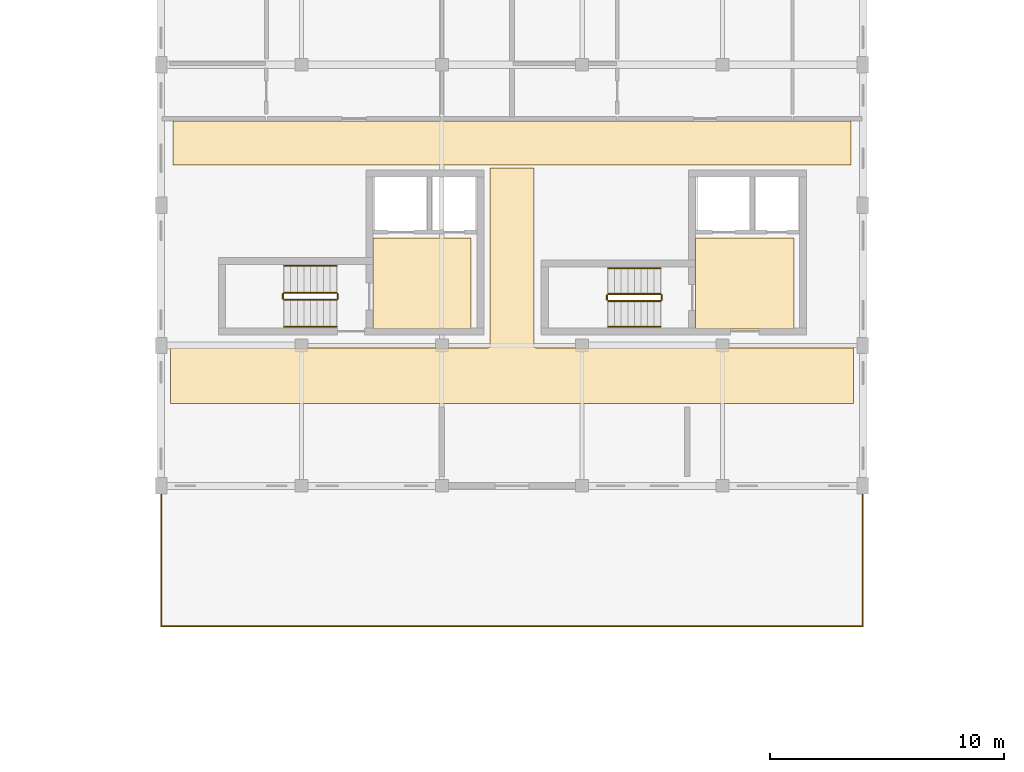
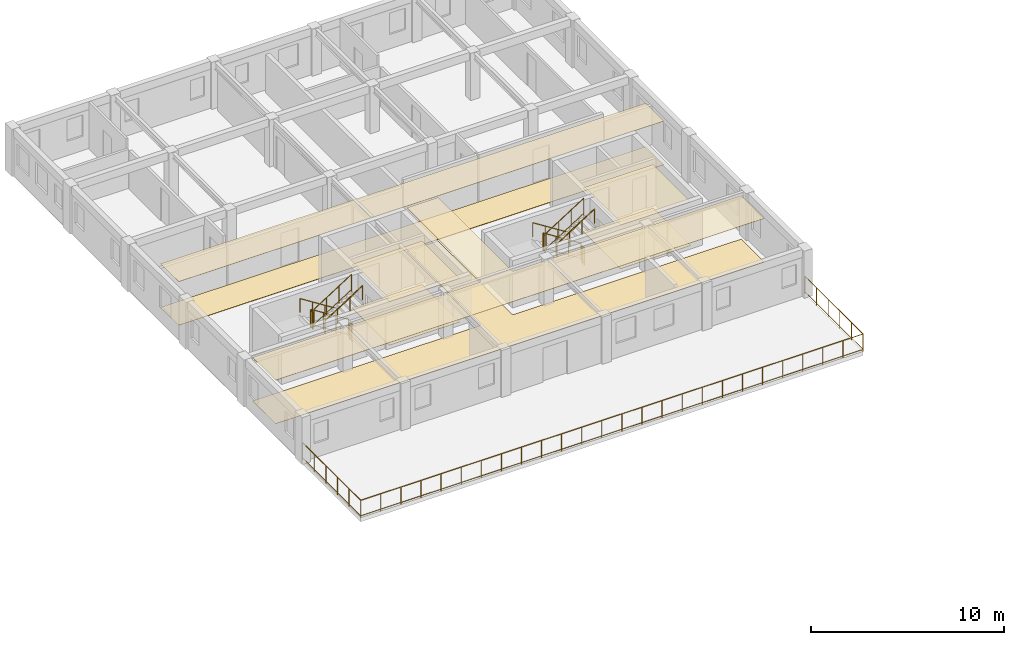
# One storey, part 27 of 28: 15 railings, 8 coverings.
"""IFC4 building model written with IfcOpenShell, lengths in metres."""

from ifc_helpers import new_model, si_unit, direction, frame, origin, origin_2d, place, context, subcontext, project, spatial, polyline, circle, outline, extrude, material, layer, layer_set, type_object, element, save


model = new_model("IFC4")

# Units and contexts
model_context = context("Model", 3, precision=1e-05, world=origin(), true_north=direction((0.0, 1.0)))
body_context = subcontext(model_context, "Body", "Model", "MODEL_VIEW")
ifc_project = project(units=[si_unit("LENGTHUNIT", "METRE"), si_unit("AREAUNIT", "SQUARE_METRE"), si_unit("VOLUMEUNIT", "CUBIC_METRE"), si_unit("PLANEANGLEUNIT", "RADIAN"), si_unit("MASSUNIT", "GRAM", prefix="KILO"), si_unit("POWERUNIT", "WATT"), si_unit("THERMODYNAMICTEMPERATUREUNIT", "KELVIN")], contexts=[model_context])

# Site, building, storey
site_placement = place(None, origin())
site = spatial("IfcSite", under=ifc_project, at=site_placement, CompositionType="ELEMENT")
building_placement = place(site_placement, origin())
building = spatial("IfcBuilding", under=site, at=building_placement, Name="Ruvembo Vaulted Housing Court", CompositionType="ELEMENT")
storey_placement = place(building_placement, frame((0.0, 0.0, 23.699951171875)))
storey = spatial("IfcBuildingStorey", under=building, at=storey_placement, Name="L07", CompositionType="ELEMENT", Elevation=23.699951171875)

# Coverings
ifc_material_1 = material(Name="Perforated Mineral-Fibre Acoustic Tile", Category="gypsum")
ifc_layer_1 = layer(ifc_material_1, 0.02001953125, Name="Perforated Mineral-Fibre Acoustic Tile")
ifc_layer_set_1 = layer_set([ifc_layer_1], Name="Perforated Mineral-Fibre Acoustic Tile")
covering_type_1 = type_object("IfcCoveringType", Name="COV-CEIL-ACOUST", PredefinedType="CEILING", material=ifc_layer_set_1)
covering_1_placement = place(storey_placement, frame((0.0, 0.0, 2.75)))
element("IfcCovering", 1, at=covering_1_placement, inside=storey, type_object=covering_type_1, Name="Protected Core Lobby B1 Ceiling", PredefinedType="CEILING", context=body_context, shape_type="SweptSolid", body=[
    extrude(outline(polyline([(61.25, 94.60009765625), (57.050048828125, 94.60009765625), (57.050048828125, 90.699951171875), (61.25, 90.699951171875), (61.25, 94.60009765625)])), origin(), (0.0, 0.0, 1.0), 0.02001953125),
])
covering_2_placement = place(storey_placement, frame((0.0, 0.0, 2.75)))
element("IfcCovering", 2, at=covering_2_placement, inside=storey, type_object=covering_type_1, Name="Protected Core Lobby B2 Ceiling", PredefinedType="CEILING", context=body_context, shape_type="SweptSolid", body=[
    extrude(outline(polyline([(75.050048828125, 94.60009765625), (70.85009765625, 94.60009765625), (70.85009765625, 90.699951171875), (75.050048828125, 90.699951171875), (75.050048828125, 94.60009765625)])), origin(), (0.0, 0.0, 1.0), 0.02001953125),
])
covering_3_placement = place(storey_placement, frame((0.0, 0.0, 2.75)))
element("IfcCovering", 3, at=covering_3_placement, inside=storey, type_object=covering_type_1, Name="Block B L07 Corridor Ceiling", PredefinedType="CEILING", context=body_context, shape_type="SweptSolid", body=[
    extrude(outline(polyline([(77.590087890625, 87.510009765625), (77.590087890625, 89.889892578125), (64.050048828125, 89.889892578125), (64.039306640625, 89.890380859375), (64.028564453125, 89.89208984375), (64.01806640625, 89.894775390625), (64.0078125, 89.8984375), (63.998046875, 89.903076171875), (63.989013671875, 89.908447265625), (63.980224609375, 89.9150390625), (63.97216796875, 89.922119140625), (63.965087890625, 89.93017578125), (63.95849609375, 89.93896484375), (63.952880859375, 89.947998046875), (63.948486328125, 89.9580078125), (63.944580078125, 89.968017578125), (63.942138671875, 89.978515625), (63.9404296875, 89.9892578125), (63.93994140625, 90.0), (63.93994140625, 97.590087890625), (62.06005859375, 97.590087890625), (62.06005859375, 90.0), (62.0595703125, 89.9892578125), (62.057861328125, 89.978515625), (62.055419921875, 89.968017578125), (62.051513671875, 89.9580078125), (62.047119140625, 89.947998046875), (62.04150390625, 89.93896484375), (62.034912109375, 89.93017578125), (62.02783203125, 89.922119140625), (62.019775390625, 89.9150390625), (62.010986328125, 89.908447265625), (62.001953125, 89.903076171875), (61.9921875, 89.8984375), (61.98193359375, 89.894775390625), (61.971435546875, 89.89208984375), (61.960693359375, 89.890380859375), (61.949951171875, 89.889892578125), (48.409912109375, 89.889892578125), (48.409912109375, 87.510009765625), (77.590087890625, 87.510009765625)])), origin(), (0.0, 0.0, 1.0), 0.02001953125),
])
covering_4_placement = place(storey_placement, frame((0.0, 0.0, 2.75)))
element("IfcCovering", 4, at=covering_4_placement, inside=storey, type_object=covering_type_1, Name="Block B L07 North Sub-Corridor Ceiling", PredefinedType="CEILING", context=body_context, shape_type="SweptSolid", body=[
    extrude(outline(polyline([(48.510009765625, 97.7099609375), (77.489990234375, 97.7099609375), (77.489990234375, 99.590087890625), (48.510009765625, 99.590087890625), (48.510009765625, 97.7099609375)])), origin(), (0.0, 0.0, 1.0), 0.02001953125),
])
ifc_material_2 = material(Name="Polished Cement-Aggregate Terrazzo", Category="stone")
ifc_layer_2 = layer(ifc_material_2, 0.02197265625, Name="Polished Cement-Aggregate Terrazzo")
ifc_layer_set_2 = layer_set([ifc_layer_2], Name="Polished Cement-Aggregate Terrazzo")
covering_type_2 = type_object("IfcCoveringType", Name="COV-FLR-CERAMIC", PredefinedType="FLOORING", material=ifc_layer_set_2)
covering_5_placement = place(storey_placement, origin())
element("IfcCovering", 5, at=covering_5_placement, inside=storey, type_object=covering_type_2, Name="Protected Core Lobby B1 Flooring", PredefinedType="FLOORING", context=body_context, shape_type="SweptSolid", body=[
    extrude(outline(polyline([(61.25, 94.60009765625), (57.050048828125, 94.60009765625), (57.050048828125, 90.699951171875), (61.25, 90.699951171875), (61.25, 94.60009765625)])), origin(), (0.0, 0.0, 1.0), 0.02197265625),
])
covering_6_placement = place(storey_placement, origin())
element("IfcCovering", 6, at=covering_6_placement, inside=storey, type_object=covering_type_2, Name="Protected Core Lobby B2 Flooring", PredefinedType="FLOORING", context=body_context, shape_type="SweptSolid", body=[
    extrude(outline(polyline([(75.050048828125, 94.60009765625), (70.85009765625, 94.60009765625), (70.85009765625, 90.699951171875), (75.050048828125, 90.699951171875), (75.050048828125, 94.60009765625)])), origin(), (0.0, 0.0, 1.0), 0.02197265625),
])
covering_7_placement = place(storey_placement, origin())
element("IfcCovering", 7, at=covering_7_placement, inside=storey, type_object=covering_type_2, Name="Block B L07 Corridor Flooring", PredefinedType="FLOORING", context=body_context, shape_type="SweptSolid", body=[
    extrude(outline(polyline([(77.590087890625, 87.510009765625), (77.590087890625, 89.889892578125), (64.050048828125, 89.889892578125), (64.039306640625, 89.890380859375), (64.028564453125, 89.89208984375), (64.01806640625, 89.894775390625), (64.0078125, 89.8984375), (63.998046875, 89.903076171875), (63.989013671875, 89.908447265625), (63.980224609375, 89.9150390625), (63.97216796875, 89.922119140625), (63.965087890625, 89.93017578125), (63.95849609375, 89.93896484375), (63.952880859375, 89.947998046875), (63.948486328125, 89.9580078125), (63.944580078125, 89.968017578125), (63.942138671875, 89.978515625), (63.9404296875, 89.9892578125), (63.93994140625, 90.0), (63.93994140625, 97.590087890625), (62.06005859375, 97.590087890625), (62.06005859375, 90.0), (62.0595703125, 89.9892578125), (62.057861328125, 89.978515625), (62.055419921875, 89.968017578125), (62.051513671875, 89.9580078125), (62.047119140625, 89.947998046875), (62.04150390625, 89.93896484375), (62.034912109375, 89.93017578125), (62.02783203125, 89.922119140625), (62.019775390625, 89.9150390625), (62.010986328125, 89.908447265625), (62.001953125, 89.903076171875), (61.9921875, 89.8984375), (61.98193359375, 89.894775390625), (61.971435546875, 89.89208984375), (61.960693359375, 89.890380859375), (61.949951171875, 89.889892578125), (48.409912109375, 89.889892578125), (48.409912109375, 87.510009765625), (77.590087890625, 87.510009765625)])), origin(), (0.0, 0.0, 1.0), 0.02197265625),
])
covering_8_placement = place(storey_placement, origin())
element("IfcCovering", 8, at=covering_8_placement, inside=storey, type_object=covering_type_2, Name="Block B L07 North Sub-Corridor Flooring", PredefinedType="FLOORING", context=body_context, shape_type="SweptSolid", body=[
    extrude(outline(polyline([(48.510009765625, 97.7099609375), (77.489990234375, 97.7099609375), (77.489990234375, 99.590087890625), (48.510009765625, 99.590087890625), (48.510009765625, 97.7099609375)])), origin(), (0.0, 0.0, 1.0), 0.02197265625),
])

# Railings
ifc_material_3 = material(Name="Galvanised Painted Steel and Laminated Glass", Category="steel")
ifc_layer_3 = layer(ifc_material_3, 0.070068359375, Name="Galvanised Painted Steel and Laminated Glass")
ifc_layer_set_3 = layer_set([ifc_layer_3], Name="Galvanised Painted Steel and Laminated Glass")
railing_type_1 = type_object("IfcRailingType", Name="RL-BALUST-1120", PredefinedType="BALUSTRADE", material=ifc_layer_set_3)
railing_1_placement = place(storey_placement, frame((48.0, 84.0, 0.0)))
element("IfcRailing", 9, at=railing_1_placement, inside=storey, type_object=railing_type_1, Name="L07 Perimeter Guard RL-EXT-L07-0007", PredefinedType="BALUSTRADE", context=body_context, shape_type="SweptSolid", body=[
    extrude(circle(Radius=0.02392578125, at=origin_2d()), frame((0.0, 0.0, 1.09619140625), z_axis=(0.0, -1.0, 0.0), x_axis=(1.0, 0.0, 0.0)), (0.0, 0.0, 1.0), 6.0),
    extrude(circle(Radius=0.01806640625, at=origin_2d()), frame((0.0, 0.0, 0.1201171875), z_axis=(0.0, -1.0, 0.0), x_axis=(1.0, 0.0, 0.0)), (0.0, 0.0, 1.0), 6.0),
    extrude(circle(Radius=0.02099609375, at=origin_2d()), origin(), (0.0, 0.0, 1.0), 1.072021484375),
    extrude(circle(Radius=0.02099609375, at=origin_2d()), frame((0.0, -1.199951171875, 0.0)), (0.0, 0.0, 1.0), 1.072021484375),
    extrude(circle(Radius=0.02099609375, at=origin_2d()), frame((0.0, -2.39990234375, 0.0)), (0.0, 0.0, 1.0), 1.072021484375),
    extrude(circle(Radius=0.02099609375, at=origin_2d()), frame((0.0, -3.60009765625, 0.0)), (0.0, 0.0, 1.0), 1.072021484375),
    extrude(circle(Radius=0.02099609375, at=origin_2d()), frame((0.0, -4.800048828125, 0.0)), (0.0, 0.0, 1.0), 1.072021484375),
    extrude(circle(Radius=0.02099609375, at=origin_2d()), frame((0.0, -6.0, 0.0)), (0.0, 0.0, 1.0), 1.072021484375),
])
railing_2_placement = place(storey_placement, frame((48.0, 78.0, 0.0)))
element("IfcRailing", 10, at=railing_2_placement, inside=storey, type_object=railing_type_1, Name="L07 Perimeter Guard RL-EXT-L07-0008", PredefinedType="BALUSTRADE", context=body_context, shape_type="SweptSolid", body=[
    extrude(circle(Radius=0.02392578125, at=origin_2d()), frame((0.0, 0.0, 1.09619140625), z_axis=(1.0, 0.0, 0.0), x_axis=(0.0, 1.0, 0.0)), (0.0, 0.0, 1.0), 30.0),
    extrude(circle(Radius=0.01806640625, at=origin_2d()), frame((0.0, 0.0, 0.1201171875), z_axis=(1.0, 0.0, 0.0), x_axis=(0.0, 1.0, 0.0)), (0.0, 0.0, 1.0), 30.0),
    extrude(circle(Radius=0.02099609375, at=origin_2d()), origin(), (0.0, 0.0, 1.0), 1.072021484375),
    extrude(circle(Radius=0.02099609375, at=origin_2d()), frame((1.199951171875, 0.0, 0.0)), (0.0, 0.0, 1.0), 1.072021484375),
    extrude(circle(Radius=0.02099609375, at=origin_2d()), frame((2.39990234375, 0.0, 0.0)), (0.0, 0.0, 1.0), 1.072021484375),
    extrude(circle(Radius=0.02099609375, at=origin_2d()), frame((3.60009765625, 0.0, 0.0)), (0.0, 0.0, 1.0), 1.072021484375),
    extrude(circle(Radius=0.02099609375, at=origin_2d()), frame((4.800048828125, 0.0, 0.0)), (0.0, 0.0, 1.0), 1.072021484375),
    extrude(circle(Radius=0.02099609375, at=origin_2d()), frame((6.0, 0.0, 0.0)), (0.0, 0.0, 1.0), 1.072021484375),
    extrude(circle(Radius=0.02099609375, at=origin_2d()), frame((7.199951171875, 0.0, 0.0)), (0.0, 0.0, 1.0), 1.072021484375),
    extrude(circle(Radius=0.02099609375, at=origin_2d()), frame((8.39990234375, 0.0, 0.0)), (0.0, 0.0, 1.0), 1.072021484375),
    extrude(circle(Radius=0.02099609375, at=origin_2d()), frame((9.60009765625, 0.0, 0.0)), (0.0, 0.0, 1.0), 1.072021484375),
    extrude(circle(Radius=0.02099609375, at=origin_2d()), frame((10.800048828125, 0.0, 0.0)), (0.0, 0.0, 1.0), 1.072021484375),
    extrude(circle(Radius=0.02099609375, at=origin_2d()), frame((12.0, 0.0, 0.0)), (0.0, 0.0, 1.0), 1.072021484375),
    extrude(circle(Radius=0.02099609375, at=origin_2d()), frame((13.199951171875, 0.0, 0.0)), (0.0, 0.0, 1.0), 1.072021484375),
    extrude(circle(Radius=0.02099609375, at=origin_2d()), frame((14.39990234375, 0.0, 0.0)), (0.0, 0.0, 1.0), 1.072021484375),
    extrude(circle(Radius=0.02099609375, at=origin_2d()), frame((15.60009765625, 0.0, 0.0)), (0.0, 0.0, 1.0), 1.072021484375),
    extrude(circle(Radius=0.02099609375, at=origin_2d()), frame((16.800048828125, 0.0, 0.0)), (0.0, 0.0, 1.0), 1.072021484375),
    extrude(circle(Radius=0.02099609375, at=origin_2d()), frame((18.0, 0.0, 0.0)), (0.0, 0.0, 1.0), 1.072021484375),
    extrude(circle(Radius=0.02099609375, at=origin_2d()), frame((19.199951171875, 0.0, 0.0)), (0.0, 0.0, 1.0), 1.072021484375),
    extrude(circle(Radius=0.02099609375, at=origin_2d()), frame((20.39990234375, 0.0, 0.0)), (0.0, 0.0, 1.0), 1.072021484375),
    extrude(circle(Radius=0.02099609375, at=origin_2d()), frame((21.60009765625, 0.0, 0.0)), (0.0, 0.0, 1.0), 1.072021484375),
    extrude(circle(Radius=0.02099609375, at=origin_2d()), frame((22.800048828125, 0.0, 0.0)), (0.0, 0.0, 1.0), 1.072021484375),
    extrude(circle(Radius=0.02099609375, at=origin_2d()), frame((24.0, 0.0, 0.0)), (0.0, 0.0, 1.0), 1.072021484375),
    extrude(circle(Radius=0.02099609375, at=origin_2d()), frame((25.199951171875, 0.0, 0.0)), (0.0, 0.0, 1.0), 1.072021484375),
    extrude(circle(Radius=0.02099609375, at=origin_2d()), frame((26.39990234375, 0.0, 0.0)), (0.0, 0.0, 1.0), 1.072021484375),
    extrude(circle(Radius=0.02099609375, at=origin_2d()), frame((27.60009765625, 0.0, 0.0)), (0.0, 0.0, 1.0), 1.072021484375),
    extrude(circle(Radius=0.02099609375, at=origin_2d()), frame((28.800048828125, 0.0, 0.0)), (0.0, 0.0, 1.0), 1.072021484375),
    extrude(circle(Radius=0.02099609375, at=origin_2d()), frame((30.0, 0.0, 0.0)), (0.0, 0.0, 1.0), 1.072021484375),
])
railing_3_placement = place(storey_placement, frame((78.0, 78.0, 0.0)))
element("IfcRailing", 11, at=railing_3_placement, inside=storey, type_object=railing_type_1, Name="L07 Perimeter Guard RL-EXT-L07-0009", PredefinedType="BALUSTRADE", context=body_context, shape_type="SweptSolid", body=[
    extrude(circle(Radius=0.02392578125, at=origin_2d()), frame((0.0, 0.0, 1.09619140625), z_axis=(0.0, 1.0, 0.0), x_axis=(-1.0, 0.0, 0.0)), (0.0, 0.0, 1.0), 6.0),
    extrude(circle(Radius=0.01806640625, at=origin_2d()), frame((0.0, 0.0, 0.1201171875), z_axis=(0.0, 1.0, 0.0), x_axis=(-1.0, 0.0, 0.0)), (0.0, 0.0, 1.0), 6.0),
    extrude(circle(Radius=0.02099609375, at=origin_2d()), origin(), (0.0, 0.0, 1.0), 1.072021484375),
    extrude(circle(Radius=0.02099609375, at=origin_2d()), frame((0.0, 1.199951171875, 0.0)), (0.0, 0.0, 1.0), 1.072021484375),
    extrude(circle(Radius=0.02099609375, at=origin_2d()), frame((0.0, 2.39990234375, 0.0)), (0.0, 0.0, 1.0), 1.072021484375),
    extrude(circle(Radius=0.02099609375, at=origin_2d()), frame((0.0, 3.60009765625, 0.0)), (0.0, 0.0, 1.0), 1.072021484375),
    extrude(circle(Radius=0.02099609375, at=origin_2d()), frame((0.0, 4.800048828125, 0.0)), (0.0, 0.0, 1.0), 1.072021484375),
    extrude(circle(Radius=0.02099609375, at=origin_2d()), frame((0.0, 6.0, 0.0)), (0.0, 0.0, 1.0), 1.072021484375),
])
ifc_material_4 = material(Name="Painted Galvanised Steel S275", Category="steel")
ifc_layer_4 = layer(ifc_material_4, 0.06005859375, Name="Painted Galvanised Steel S275")
ifc_layer_set_4 = layer_set([ifc_layer_4], Name="Painted Galvanised Steel S275")
railing_type_2 = type_object("IfcRailingType", Name="RL-STAIR-GR1100", PredefinedType="GUARDRAIL", material=ifc_layer_set_4)
railing_4_placement = place(storey_placement, frame((55.5, 92.25, 0.177734375)))
element("IfcRailing", 12, at=railing_4_placement, inside=storey, type_object=railing_type_2, Name="L07 ST-B1 stair guard 1", PredefinedType="GUARDRAIL", context=body_context, shape_type="SweptSolid", body=[
    extrude(circle(Radius=0.02392578125, at=origin_2d()), frame((0.0, 0.0, 1.076171875), z_axis=(-0.84418770128, 0.0, 0.536047689118), x_axis=(0.0, -1.0, 0.0)), (0.0, 0.0, 1.0), 2.6533203125),
    extrude(circle(Radius=0.01806640625, at=origin_2d()), frame((0.0, 0.0, 0.1201171875), z_axis=(-0.84418770128, 0.0, 0.536047689118), x_axis=(0.0, -1.0, 0.0)), (0.0, 0.0, 1.0), 2.6533203125),
    extrude(circle(Radius=0.02099609375, at=origin_2d()), origin(), (0.0, 0.0, 1.0), 1.052001953125),
    extrude(circle(Radius=0.02099609375, at=origin_2d()), frame((-0.74658203125, 0.0, 0.47412109375)), (0.0, 0.0, 1.0), 1.052001953125),
    extrude(circle(Radius=0.02099609375, at=origin_2d()), frame((-1.493408203125, 0.0, 0.9482421875)), (0.0, 0.0, 1.0), 1.052001953125),
    extrude(circle(Radius=0.02099609375, at=origin_2d()), frame((-2.239990234375, 0.0, 1.42236328125)), (0.0, 0.0, 1.0), 1.052001953125),
])
railing_5_placement = place(storey_placement, frame((53.2099609375, 92.199951171875, 1.60009765625)))
element("IfcRailing", 13, at=railing_5_placement, inside=storey, type_object=railing_type_2, Name="L07 ST-B1 stair guard 2", PredefinedType="GUARDRAIL", context=body_context, shape_type="SweptSolid", body=[
    extrude(circle(Radius=0.02392578125, at=origin_2d()), frame((0.0, 0.0, 1.076171875), z_axis=(0.0, -1.0, 0.0), x_axis=(1.0, 0.0, 0.0)), (0.0, 0.0, 1.0), 0.199951171875),
    extrude(circle(Radius=0.01806640625, at=origin_2d()), frame((0.0, 0.0, 0.1201171875), z_axis=(0.0, -1.0, 0.0), x_axis=(1.0, 0.0, 0.0)), (0.0, 0.0, 1.0), 0.199951171875),
    extrude(circle(Radius=0.02099609375, at=origin_2d()), origin(), (0.0, 0.0, 1.0), 1.052001953125),
    extrude(circle(Radius=0.02099609375, at=origin_2d()), frame((0.0, -0.199951171875, 0.0)), (0.0, 0.0, 1.0), 1.052001953125),
])
railing_6_placement = place(storey_placement, frame((53.260009765625, 91.949951171875, 1.77783203125)))
element("IfcRailing", 14, at=railing_6_placement, inside=storey, type_object=railing_type_2, Name="L07 ST-B1 stair guard 3", PredefinedType="GUARDRAIL", context=body_context, shape_type="SweptSolid", body=[
    extrude(circle(Radius=0.02392578125, at=origin_2d()), frame((0.0, 0.0, 1.076171875), z_axis=(0.8442293374, 0.0, 0.53598211339), x_axis=(0.0, 1.0, 0.0)), (0.0, 0.0, 1.0), 2.6533203125),
    extrude(circle(Radius=0.01806640625, at=origin_2d()), frame((0.0, 0.0, 0.1201171875), z_axis=(0.8442293374, 0.0, 0.53598211339), x_axis=(0.0, 1.0, 0.0)), (0.0, 0.0, 1.0), 2.6533203125),
    extrude(circle(Radius=0.02099609375, at=origin_2d()), origin(), (0.0, 0.0, 1.0), 1.052001953125),
    extrude(circle(Radius=0.02099609375, at=origin_2d()), frame((0.74658203125, 0.0, 0.47412109375)), (0.0, 0.0, 1.0), 1.052001953125),
    extrude(circle(Radius=0.02099609375, at=origin_2d()), frame((1.493408203125, 0.0, 0.947998046875)), (0.0, 0.0, 1.0), 1.052001953125),
    extrude(circle(Radius=0.02099609375, at=origin_2d()), frame((2.239990234375, 0.0, 1.422119140625)), (0.0, 0.0, 1.0), 1.052001953125),
])
railing_7_placement = place(storey_placement, frame((55.550048828125, 92.199951171875, 0.0)))
element("IfcRailing", 15, at=railing_7_placement, inside=storey, type_object=railing_type_2, Name="L07 ST-B1 stair guard 4", PredefinedType="GUARDRAIL", context=body_context, shape_type="SweptSolid", body=[
    extrude(circle(Radius=0.02392578125, at=origin_2d()), frame((0.0, 0.0, 1.076171875), z_axis=(0.0, -1.0, 0.0), x_axis=(1.0, 0.0, 0.0)), (0.0, 0.0, 1.0), 0.199951171875),
    extrude(circle(Radius=0.01806640625, at=origin_2d()), frame((0.0, 0.0, 0.1201171875), z_axis=(0.0, -1.0, 0.0), x_axis=(1.0, 0.0, 0.0)), (0.0, 0.0, 1.0), 0.199951171875),
    extrude(circle(Radius=0.02099609375, at=origin_2d()), origin(), (0.0, 0.0, 1.0), 1.052001953125),
    extrude(circle(Radius=0.02099609375, at=origin_2d()), frame((0.0, -0.199951171875, 0.0)), (0.0, 0.0, 1.0), 1.052001953125),
])
railing_8_placement = place(storey_placement, frame((69.35009765625, 92.199951171875, 0.177734375)))
element("IfcRailing", 16, at=railing_8_placement, inside=storey, type_object=railing_type_2, Name="L07 ST-B2 stair guard 1", PredefinedType="GUARDRAIL", context=body_context, shape_type="SweptSolid", body=[
    extrude(circle(Radius=0.02392578125, at=origin_2d()), frame((0.0, 0.0, 1.076171875), z_axis=(-0.84418770128, 0.0, 0.536047689118), x_axis=(0.0, -1.0, 0.0)), (0.0, 0.0, 1.0), 2.6533203125),
    extrude(circle(Radius=0.01806640625, at=origin_2d()), frame((0.0, 0.0, 0.1201171875), z_axis=(-0.84418770128, 0.0, 0.536047689118), x_axis=(0.0, -1.0, 0.0)), (0.0, 0.0, 1.0), 2.6533203125),
    extrude(circle(Radius=0.02099609375, at=origin_2d()), origin(), (0.0, 0.0, 1.0), 1.052001953125),
    extrude(circle(Radius=0.02099609375, at=origin_2d()), frame((-0.74658203125, 0.0, 0.47412109375)), (0.0, 0.0, 1.0), 1.052001953125),
    extrude(circle(Radius=0.02099609375, at=origin_2d()), frame((-1.493408203125, 0.0, 0.9482421875)), (0.0, 0.0, 1.0), 1.052001953125),
    extrude(circle(Radius=0.02099609375, at=origin_2d()), frame((-2.239990234375, 0.0, 1.42236328125)), (0.0, 0.0, 1.0), 1.052001953125),
])
railing_9_placement = place(storey_placement, frame((67.06005859375, 92.14990234375, 1.60009765625)))
element("IfcRailing", 17, at=railing_9_placement, inside=storey, type_object=railing_type_2, Name="L07 ST-B2 stair guard 2", PredefinedType="GUARDRAIL", context=body_context, shape_type="SweptSolid", body=[
    extrude(circle(Radius=0.02392578125, at=origin_2d()), frame((0.0, 0.0, 1.076171875), z_axis=(0.0, -1.0, 0.0), x_axis=(1.0, 0.0, 0.0)), (0.0, 0.0, 1.0), 0.199951171875),
    extrude(circle(Radius=0.01806640625, at=origin_2d()), frame((0.0, 0.0, 0.1201171875), z_axis=(0.0, -1.0, 0.0), x_axis=(1.0, 0.0, 0.0)), (0.0, 0.0, 1.0), 0.199951171875),
    extrude(circle(Radius=0.02099609375, at=origin_2d()), origin(), (0.0, 0.0, 1.0), 1.052001953125),
    extrude(circle(Radius=0.02099609375, at=origin_2d()), frame((0.0, -0.199951171875, 0.0)), (0.0, 0.0, 1.0), 1.052001953125),
])
railing_10_placement = place(storey_placement, frame((67.110107421875, 91.89990234375, 1.77783203125)))
element("IfcRailing", 18, at=railing_10_placement, inside=storey, type_object=railing_type_2, Name="L07 ST-B2 stair guard 3", PredefinedType="GUARDRAIL", context=body_context, shape_type="SweptSolid", body=[
    extrude(circle(Radius=0.02392578125, at=origin_2d()), frame((0.0, 0.0, 1.076171875), z_axis=(0.8442293374, 0.0, 0.53598211339), x_axis=(0.0, 1.0, 0.0)), (0.0, 0.0, 1.0), 2.6533203125),
    extrude(circle(Radius=0.01806640625, at=origin_2d()), frame((0.0, 0.0, 0.1201171875), z_axis=(0.8442293374, 0.0, 0.53598211339), x_axis=(0.0, 1.0, 0.0)), (0.0, 0.0, 1.0), 2.6533203125),
    extrude(circle(Radius=0.02099609375, at=origin_2d()), origin(), (0.0, 0.0, 1.0), 1.052001953125),
    extrude(circle(Radius=0.02099609375, at=origin_2d()), frame((0.74658203125, 0.0, 0.47412109375)), (0.0, 0.0, 1.0), 1.052001953125),
    extrude(circle(Radius=0.02099609375, at=origin_2d()), frame((1.493408203125, 0.0, 0.947998046875)), (0.0, 0.0, 1.0), 1.052001953125),
    extrude(circle(Radius=0.02099609375, at=origin_2d()), frame((2.239990234375, 0.0, 1.422119140625)), (0.0, 0.0, 1.0), 1.052001953125),
])
railing_11_placement = place(storey_placement, frame((69.39990234375, 92.14990234375, 0.0)))
element("IfcRailing", 19, at=railing_11_placement, inside=storey, type_object=railing_type_2, Name="L07 ST-B2 stair guard 4", PredefinedType="GUARDRAIL", context=body_context, shape_type="SweptSolid", body=[
    extrude(circle(Radius=0.02392578125, at=origin_2d()), frame((0.0, 0.0, 1.076171875), z_axis=(0.0, -1.0, 0.0), x_axis=(1.0, 0.0, 0.0)), (0.0, 0.0, 1.0), 0.199951171875),
    extrude(circle(Radius=0.01806640625, at=origin_2d()), frame((0.0, 0.0, 0.1201171875), z_axis=(0.0, -1.0, 0.0), x_axis=(1.0, 0.0, 0.0)), (0.0, 0.0, 1.0), 0.199951171875),
    extrude(circle(Radius=0.02099609375, at=origin_2d()), origin(), (0.0, 0.0, 1.0), 1.052001953125),
    extrude(circle(Radius=0.02099609375, at=origin_2d()), frame((0.0, -0.199951171875, 0.0)), (0.0, 0.0, 1.0), 1.052001953125),
])
ifc_material_5 = material(Name="Brushed Stainless Steel 304", Category="steel")
ifc_layer_5 = layer(ifc_material_5, 0.050048828125, Name="Brushed Stainless Steel 304")
ifc_layer_set_5 = layer_set([ifc_layer_5], Name="Brushed Stainless Steel 304")
railing_type_3 = type_object("IfcRailingType", Name="RL-STAIR-HR920", PredefinedType="HANDRAIL", material=ifc_layer_set_5)
railing_12_placement = place(storey_placement, frame((55.5, 93.39990234375, 0.359375)))
element("IfcRailing", 20, at=railing_12_placement, inside=storey, type_object=railing_type_3, Name="L07 ST-B1 stair handrail 1", PredefinedType="HANDRAIL", context=body_context, shape_type="SweptSolid", body=[
    extrude(circle(Radius=0.02392578125, at=origin_2d()), frame((0.0, 0.0, 0.8759765625), z_axis=(-0.8442293374, 0.0, 0.53598211339), x_axis=(0.0, -1.0, 0.0)), (0.0, 0.0, 1.0), 2.6533203125),
    extrude(circle(Radius=0.02099609375, at=origin_2d()), origin(), (0.0, 0.0, 1.0), 0.851806640625),
    extrude(circle(Radius=0.02099609375, at=origin_2d()), frame((-0.74658203125, 0.0, 0.47412109375)), (0.0, 0.0, 1.0), 0.851806640625),
    extrude(circle(Radius=0.02099609375, at=origin_2d()), frame((-1.493408203125, 0.0, 0.947998046875)), (0.0, 0.0, 1.0), 0.851806640625),
    extrude(circle(Radius=0.02099609375, at=origin_2d()), frame((-2.239990234375, 0.0, 1.422119140625)), (0.0, 0.0, 1.0), 0.851806640625),
])
railing_13_placement = place(storey_placement, frame((53.260009765625, 90.800048828125, 1.959228515625)))
element("IfcRailing", 21, at=railing_13_placement, inside=storey, type_object=railing_type_3, Name="L07 ST-B1 stair handrail 2", PredefinedType="HANDRAIL", context=body_context, shape_type="SweptSolid", body=[
    extrude(circle(Radius=0.02392578125, at=origin_2d()), frame((0.0, 0.0, 0.8759765625), z_axis=(0.84418770128, 0.0, 0.536047689118), x_axis=(0.0, 1.0, 0.0)), (0.0, 0.0, 1.0), 2.6533203125),
    extrude(circle(Radius=0.02099609375, at=origin_2d()), origin(), (0.0, 0.0, 1.0), 0.851806640625),
    extrude(circle(Radius=0.02099609375, at=origin_2d()), frame((0.74658203125, 0.0, 0.47412109375)), (0.0, 0.0, 1.0), 0.851806640625),
    extrude(circle(Radius=0.02099609375, at=origin_2d()), frame((1.493408203125, 0.0, 0.9482421875)), (0.0, 0.0, 1.0), 0.851806640625),
    extrude(circle(Radius=0.02099609375, at=origin_2d()), frame((2.239990234375, 0.0, 1.42236328125)), (0.0, 0.0, 1.0), 0.851806640625),
])
railing_14_placement = place(storey_placement, frame((69.35009765625, 93.300048828125, 0.359375)))
element("IfcRailing", 22, at=railing_14_placement, inside=storey, type_object=railing_type_3, Name="L07 ST-B2 stair handrail 1", PredefinedType="HANDRAIL", context=body_context, shape_type="SweptSolid", body=[
    extrude(circle(Radius=0.02392578125, at=origin_2d()), frame((0.0, 0.0, 0.8759765625), z_axis=(-0.8442293374, 0.0, 0.53598211339), x_axis=(0.0, -1.0, 0.0)), (0.0, 0.0, 1.0), 2.6533203125),
    extrude(circle(Radius=0.02099609375, at=origin_2d()), origin(), (0.0, 0.0, 1.0), 0.851806640625),
    extrude(circle(Radius=0.02099609375, at=origin_2d()), frame((-0.74658203125, 0.0, 0.47412109375)), (0.0, 0.0, 1.0), 0.851806640625),
    extrude(circle(Radius=0.02099609375, at=origin_2d()), frame((-1.493408203125, 0.0, 0.947998046875)), (0.0, 0.0, 1.0), 0.851806640625),
    extrude(circle(Radius=0.02099609375, at=origin_2d()), frame((-2.239990234375, 0.0, 1.422119140625)), (0.0, 0.0, 1.0), 0.851806640625),
])
railing_15_placement = place(storey_placement, frame((67.110107421875, 90.800048828125, 1.959228515625)))
element("IfcRailing", 23, at=railing_15_placement, inside=storey, type_object=railing_type_3, Name="L07 ST-B2 stair handrail 2", PredefinedType="HANDRAIL", context=body_context, shape_type="SweptSolid", body=[
    extrude(circle(Radius=0.02392578125, at=origin_2d()), frame((0.0, 0.0, 0.8759765625), z_axis=(0.84418770128, 0.0, 0.536047689118), x_axis=(0.0, 1.0, 0.0)), (0.0, 0.0, 1.0), 2.6533203125),
    extrude(circle(Radius=0.02099609375, at=origin_2d()), origin(), (0.0, 0.0, 1.0), 0.851806640625),
    extrude(circle(Radius=0.02099609375, at=origin_2d()), frame((0.74658203125, 0.0, 0.47412109375)), (0.0, 0.0, 1.0), 0.851806640625),
    extrude(circle(Radius=0.02099609375, at=origin_2d()), frame((1.493408203125, 0.0, 0.9482421875)), (0.0, 0.0, 1.0), 0.851806640625),
    extrude(circle(Radius=0.02099609375, at=origin_2d()), frame((2.239990234375, 0.0, 1.42236328125)), (0.0, 0.0, 1.0), 0.851806640625),
])

save(model, "model.ifc")
